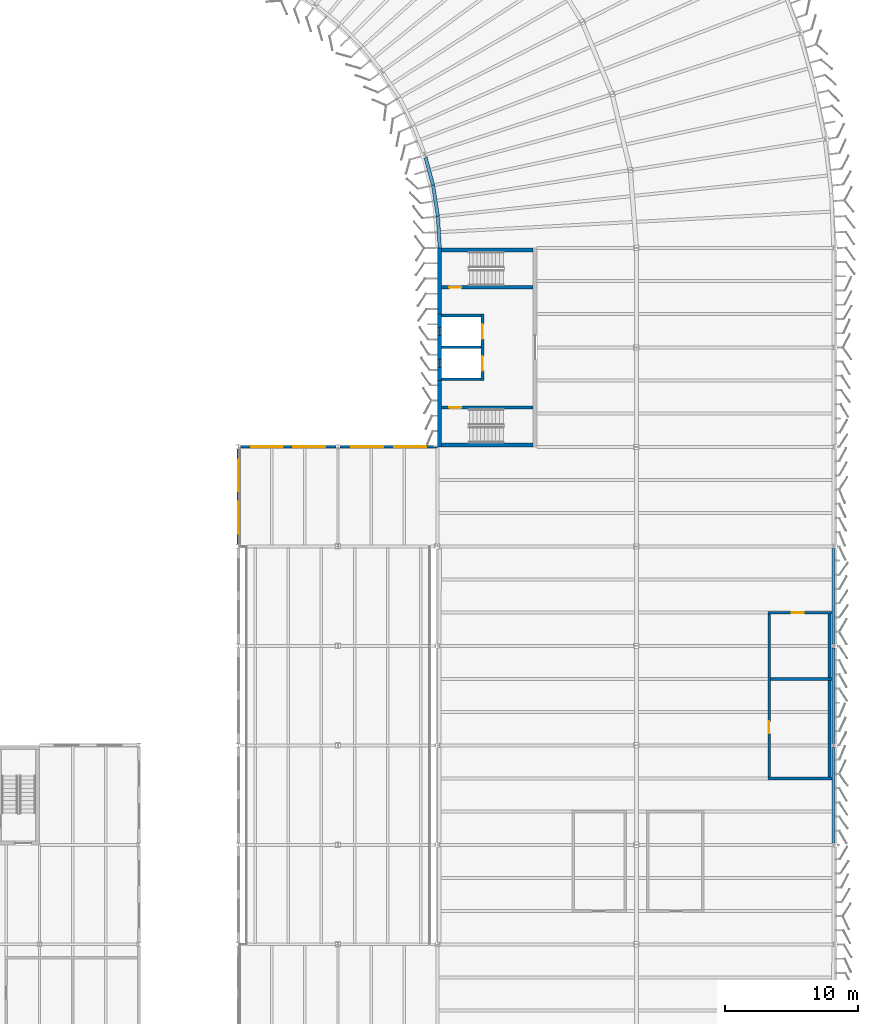
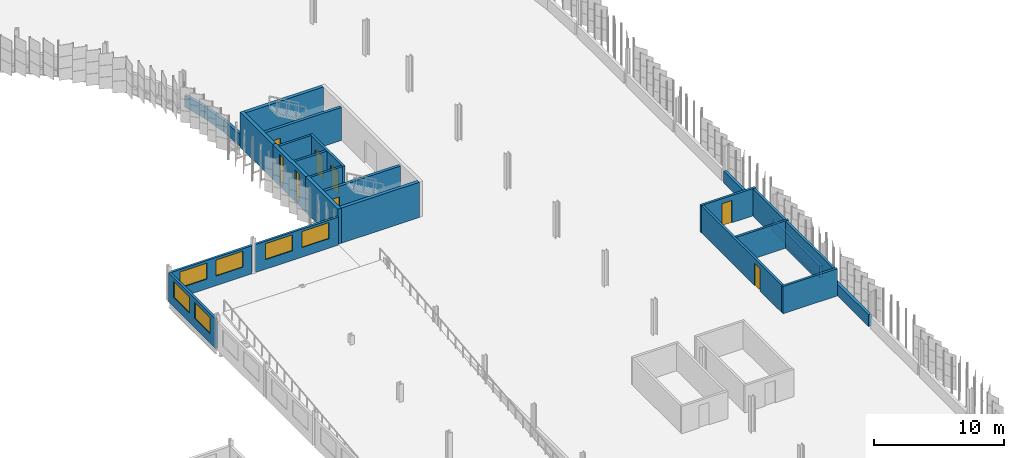
# One storey, part 76 of 214: 25 walls, 8 windows, 6 doors, 14 openings.
"""IFC4 building model written with IfcOpenShell, lengths in metres."""

from ifc_helpers import new_model, si_unit, direction, frame, frame_2d, origin, place, context, subcontext, project, spatial, rectangle, extrude, material, layer, layer_set, type_object, element, fill, save


model = new_model("IFC4")

# Units and contexts
model_context = context("Model", 3, precision=1e-05, world=origin(), true_north=direction((0.0, 1.0)))
body_context = subcontext(model_context, "Body", "Model", "MODEL_VIEW")
ifc_project = project(units=[si_unit("LENGTHUNIT", "METRE"), si_unit("AREAUNIT", "SQUARE_METRE"), si_unit("VOLUMEUNIT", "CUBIC_METRE"), si_unit("PLANEANGLEUNIT", "RADIAN"), si_unit("MASSUNIT", "GRAM", prefix="KILO")], contexts=[model_context])

# Site, building, storey
site_placement = place(None, origin())
site = spatial("IfcSite", under=ifc_project, at=site_placement, CompositionType="ELEMENT")
building_placement = place(site_placement, origin())
building = spatial("IfcBuilding", under=site, at=building_placement, Name="Parallax Yard Mobility Hub", CompositionType="ELEMENT")
storey_placement = place(building_placement, frame((0.0, 0.0, 3.300048828125)))
storey = spatial("IfcBuildingStorey", under=building, at=storey_placement, Name="L01", CompositionType="ELEMENT", Elevation=3.300048828125)

# Wall
ifc_material_1 = material(Name="Concrete fc' 35 MPa", Category="concrete")
ifc_layer_1 = layer(ifc_material_1, 0.300048828125)
ifc_layer_set_1 = layer_set([ifc_layer_1], Name="Concrete fc' 35 MPa core wall 300")
wall_type_1 = type_object("IfcWallType", Name="Concrete fc' 35 MPa core wall 300", PredefinedType="SHEAR", material=ifc_layer_set_1)
wall_1_placement = place(storey_placement, frame((195.14990234375, 75.0, 0.0), z_axis=(0.0, 0.0, 1.0), x_axis=(0.0, 1.0, 0.0)))
element("IfcWall", 1, at=wall_1_placement, inside=storey, type_object=wall_type_1, Name="Core C-E back wall part 1 level L01", PredefinedType="SHEAR", context=body_context, shape_type="SweptSolid", body=[
    extrude(rectangle(XDim=5.0, YDim=0.300048828125, at=frame_2d((2.5, 0.0))), origin(), (0.0, 0.0, 1.0), 3.300048828125),
])

# Wall, openings, windows
wall_2_placement = place(storey_placement, frame((195.14990234375, 80.0, 0.0), z_axis=(0.0, 0.0, 1.0), x_axis=(0.0, 1.0, 0.0)))
wall_2 = element("IfcWall", 2, at=wall_2_placement, inside=storey, type_object=wall_type_1, Name="Core C-E back wall part 2 level L01", PredefinedType="SHEAR", context=body_context, shape_type="SweptSolid", body=[
    extrude(rectangle(XDim=5.0, YDim=0.300048828125, at=frame_2d((2.5, 0.0))), origin(), (0.0, 0.0, 1.0), 3.300048828125),
])
opening_1_placement = place(wall_2_placement, frame((1.0, 0.0, 0.300048828125)))
opening_1 = element("IfcOpeningElement", 3, at=opening_1_placement, cuts=wall_2, Name="Opening CW-S1", PredefinedType="OPENING", context=body_context, shape_type="SweptSolid", body=[
    extrude(rectangle(XDim=0.60009765625, YDim=2.699951171875, at=frame_2d((0.300048828125, 1.35009765625))), frame((0.0, 0.16015625, 0.0), z_axis=(0.0, -1.0, 0.0), x_axis=(1.0, 0.0, 0.0)), (0.0, 0.0, 1.0), 0.320068359375),
])
opening_2_placement = place(wall_2_placement, frame((3.39990234375, 0.0, 0.300048828125)))
opening_2 = element("IfcOpeningElement", 4, at=opening_2_placement, cuts=wall_2, Name="Opening CW-S1", PredefinedType="OPENING", context=body_context, shape_type="SweptSolid", body=[
    extrude(rectangle(XDim=0.60009765625, YDim=2.699951171875, at=frame_2d((0.300048828125, 1.35009765625))), frame((0.0, 0.16015625, 0.0), z_axis=(0.0, -1.0, 0.0), x_axis=(1.0, 0.0, 0.0)), (0.0, 0.0, 1.0), 0.320068359375),
])
ifc_material_2 = material(Name="Fire-resisting glazing in a steel frame", Category="steel")
window_type_1 = type_object("IfcWindowType", Name="Core slot window 600 x 2700", PartitioningType="SINGLE_PANEL", PredefinedType="WINDOW", material=ifc_material_2)
window_1_placement = place(opening_1_placement, origin())
window_1 = element("IfcWindow", 5, at=window_1_placement, inside=storey, type_object=window_type_1, Name="Glazed slot 1, core C-E level L01", OverallHeight=2.699951171875, OverallWidth=0.60009765625, PartitioningType="SINGLE_PANEL", PredefinedType="WINDOW", context=body_context, shape_type="SweptSolid", body=[
    extrude(rectangle(XDim=0.60009765625, YDim=2.699951171875, at=frame_2d((0.300048828125, 1.35009765625))), frame((0.0, 0.030029296875, 0.0), z_axis=(0.0, -1.0, 0.0), x_axis=(1.0, 0.0, 0.0)), (0.0, 0.0, 1.0), 0.06005859375),
])
fill(opening_1, window_1)
window_2_placement = place(opening_2_placement, origin())
window_2 = element("IfcWindow", 6, at=window_2_placement, inside=storey, type_object=window_type_1, Name="Glazed slot 2, core C-E level L01", OverallHeight=2.699951171875, OverallWidth=0.60009765625, PartitioningType="SINGLE_PANEL", PredefinedType="WINDOW", context=body_context, shape_type="SweptSolid", body=[
    extrude(rectangle(XDim=0.60009765625, YDim=2.699951171875, at=frame_2d((0.300048828125, 1.35009765625))), frame((0.0, 0.030029296875, 0.0), z_axis=(0.0, -1.0, 0.0), x_axis=(1.0, 0.0, 0.0)), (0.0, 0.0, 1.0), 0.06005859375),
])
fill(opening_2, window_2)

# Walls
wall_3_placement = place(storey_placement, frame((195.14990234375, 85.0, 0.0), z_axis=(0.0, 0.0, 1.0), x_axis=(0.0, 1.0, 0.0)))
element("IfcWall", 7, at=wall_3_placement, inside=storey, type_object=wall_type_1, Name="Core C-E back wall part 3 level L01", PredefinedType="SHEAR", context=body_context, shape_type="SweptSolid", body=[
    extrude(rectangle(XDim=5.0, YDim=0.300048828125, at=frame_2d((2.5, 0.0))), origin(), (0.0, 0.0, 1.0), 3.300048828125),
])
for number, where, z_axis, x_axis, name in (
    (8, (202.199951171875, 75.14990234375, 0.0), (0.0, 0.0, 1.0), (-1.0, 0.0, 0.0), "Core C-E west-side end wall level L01"),
    (9, (202.199951171875, 89.85009765625, 0.0), (0.0, 0.0, 1.0), (-1.0, 0.0, 0.0), "Core C-E east-side end wall level L01"),
):
    element("IfcWall", number, at=place(storey_placement, frame(where, z_axis=z_axis, x_axis=x_axis)), inside=storey, type_object=wall_type_1, Name=name, PredefinedType="SHEAR", context=body_context, shape_type="SweptSolid", body=[
        extrude(rectangle(XDim=6.89990234375, YDim=0.300048828125, at=frame_2d((3.449951171875, 0.0))), origin(), (0.0, 0.0, 1.0), 3.300048828125),
    ])

# Wall, openings, doors
ifc_layer_2 = layer(ifc_material_1, 0.199951171875)
ifc_layer_set_2 = layer_set([ifc_layer_2], Name="Concrete fc' 35 MPa internal core wall 200")
wall_type_2 = type_object("IfcWallType", Name="Concrete fc' 35 MPa internal core wall 200", PredefinedType="STANDARD", material=ifc_layer_set_2)
wall_4_placement = place(storey_placement, frame((198.39990234375, 80.0, 0.0), z_axis=(0.0, 0.0, 1.0), x_axis=(0.0, 1.0, 0.0)))
wall_4 = element("IfcWall", 10, at=wall_4_placement, inside=storey, type_object=wall_type_2, Name="Core C-E lift front 2 part 2 level L01", PredefinedType="STANDARD", context=body_context, shape_type="SweptSolid", body=[
    extrude(rectangle(XDim=5.0, YDim=0.199951171875, at=frame_2d((2.5, 0.0))), origin(), (0.0, 0.0, 1.0), 3.099853515625),
])
opening_3_placement = place(wall_4_placement, frame((0.75, 0.0, 0.0)))
opening_3 = element("IfcOpeningElement", 11, at=opening_3_placement, cuts=wall_4, Name="Opening L01-D722", PredefinedType="OPENING", context=body_context, shape_type="SweptSolid", body=[
    extrude(rectangle(XDim=1.10009765625, YDim=2.10009765625, at=frame_2d((0.550048828125, 1.050048828125))), frame((0.0, 0.10986328125, 0.0), z_axis=(0.0, -1.0, 0.0), x_axis=(1.0, 0.0, 0.0)), (0.0, 0.0, 1.0), 0.219970703125),
])
opening_4_placement = place(wall_4_placement, frame((3.14990234375, 0.0, 0.0)))
opening_4 = element("IfcOpeningElement", 12, at=opening_4_placement, cuts=wall_4, Name="Opening L01-D723", PredefinedType="OPENING", context=body_context, shape_type="SweptSolid", body=[
    extrude(rectangle(XDim=1.10009765625, YDim=2.10009765625, at=frame_2d((0.550048828125, 1.050048828125))), frame((0.0, 0.10986328125, 0.0), z_axis=(0.0, -1.0, 0.0), x_axis=(1.0, 0.0, 0.0)), (0.0, 0.0, 1.0), 0.219970703125),
])
ifc_material_3 = material(Name="Stainless steel sliding door and frame", Category="steel")
door_type_1 = type_object("IfcDoorType", Name="Lift landing door 1100 x 2100 FD90", OperationType="DOUBLE_DOOR_SLIDING", PredefinedType="DOOR", material=ifc_material_3)
door_1_placement = place(opening_3_placement, origin())
door_1 = element("IfcDoor", 13, at=door_1_placement, inside=storey, type_object=door_type_1, Name="Lift landing door L01-D722, core C-E level L01", OperationType="DOUBLE_DOOR_SLIDING", OverallHeight=2.10009765625, OverallWidth=1.10009765625, PredefinedType="DOOR", context=body_context, shape_type="SweptSolid", body=[
    extrude(rectangle(XDim=1.10009765625, YDim=2.10009765625, at=frame_2d((0.550048828125, 1.050048828125))), frame((0.0, 0.02490234375, 0.0), z_axis=(0.0, -1.0, 0.0), x_axis=(1.0, 0.0, 0.0)), (0.0, 0.0, 1.0), 0.050048828125),
])
fill(opening_3, door_1)
door_2_placement = place(opening_4_placement, origin())
door_2 = element("IfcDoor", 14, at=door_2_placement, inside=storey, type_object=door_type_1, Name="Lift landing door L01-D723, core C-E level L01", OperationType="DOUBLE_DOOR_SLIDING", OverallHeight=2.10009765625, OverallWidth=1.10009765625, PredefinedType="DOOR", context=body_context, shape_type="SweptSolid", body=[
    extrude(rectangle(XDim=1.10009765625, YDim=2.10009765625, at=frame_2d((0.550048828125, 1.050048828125))), frame((0.0, 0.02490234375, 0.0), z_axis=(0.0, -1.0, 0.0), x_axis=(1.0, 0.0, 0.0)), (0.0, 0.0, 1.0), 0.050048828125),
])
fill(opening_4, door_2)

# Walls
for number, where, z_axis, x_axis, name in (
    (15, (198.300048828125, 80.10009765625, 0.0), (0.0, 0.0, 1.0), (-1.0, 0.0, 0.0), "Core C-E lift wall 1 part 1 level L01"),
    (16, (198.300048828125, 82.5, 0.0), (0.0, 0.0, 1.0), (-1.0, 0.0, 0.0), "Core C-E lift wall 2 part 2 level L01"),
    (17, (198.300048828125, 84.89990234375, 0.0), (0.0, 0.0, 1.0), (-1.0, 0.0, 0.0), "Core C-E lift wall 3 part 3 level L01"),
):
    element("IfcWall", number, at=place(storey_placement, frame(where, z_axis=z_axis, x_axis=x_axis)), inside=storey, type_object=wall_type_2, Name=name, PredefinedType="STANDARD", context=body_context, shape_type="SweptSolid", body=[
        extrude(rectangle(XDim=3.0, YDim=0.199951171875, at=frame_2d((1.5, 0.0))), origin(), (0.0, 0.0, 1.0), 3.099853515625),
    ])

# Wall, opening, door
ifc_layer_3 = layer(ifc_material_1, 0.25)
ifc_layer_set_3 = layer_set([ifc_layer_3], Name="Concrete fc' 35 MPa stair enclosure wall 250")
wall_type_3 = type_object("IfcWallType", Name="Concrete fc' 35 MPa stair enclosure wall 250", PredefinedType="STANDARD", material=ifc_layer_set_3)
wall_5_placement = place(storey_placement, frame((202.199951171875, 77.97509765625, 0.0), z_axis=(0.0, 0.0, 1.0), x_axis=(-1.0, 0.0, 0.0)))
wall_5 = element("IfcWall", 18, at=wall_5_placement, inside=storey, type_object=wall_type_3, Name="Core C-E stair 1 partition level L01", PredefinedType="STANDARD", context=body_context, shape_type="SweptSolid", body=[
    extrude(rectangle(XDim=6.89990234375, YDim=0.25, at=frame_2d((3.449951171875, 0.0))), origin(), (0.0, 0.0, 1.0), 3.099853515625),
])
opening_5_placement = place(wall_5_placement, frame((5.39990234375, 0.0, 0.0)))
opening_5 = element("IfcOpeningElement", 19, at=opening_5_placement, cuts=wall_5, Name="Opening L01-D720", PredefinedType="OPENING", context=body_context, shape_type="SweptSolid", body=[
    extrude(rectangle(XDim=0.89990234375, YDim=2.10009765625, at=frame_2d((0.449951171875, 1.050048828125))), frame((0.0, 0.135009765625, 0.0), z_axis=(0.0, -1.0, 0.0), x_axis=(1.0, 0.0, 0.0)), (0.0, 0.0, 1.0), 0.27001953125),
])
ifc_material_4 = material(Name="Hollow metal steel door and frame", Category="steel")
door_type_2 = type_object("IfcDoorType", Name="Core door 900 x 2100 FD90", OperationType="NOTDEFINED", PredefinedType="DOOR", material=ifc_material_4)
door_3_placement = place(opening_5_placement, origin())
door_3 = element("IfcDoor", 20, at=door_3_placement, inside=storey, type_object=door_type_2, Name="Stair lobby door L01-D720, core C-E level L01", OperationType="SINGLE_SWING_LEFT", OverallHeight=2.10009765625, OverallWidth=0.89990234375, PredefinedType="DOOR", context=body_context, shape_type="SweptSolid", body=[
    extrude(rectangle(XDim=0.89990234375, YDim=2.10009765625, at=frame_2d((0.449951171875, 1.050048828125))), frame((0.0, 0.02490234375, 0.0), z_axis=(0.0, -1.0, 0.0), x_axis=(1.0, 0.0, 0.0)), (0.0, 0.0, 1.0), 0.050048828125),
])
fill(opening_5, door_3)

wall_6_placement = place(storey_placement, frame((195.300048828125, 87.02490234375, 0.0), z_axis=(0.0, 0.0, 1.0), x_axis=(1.0, 0.0, 0.0)))
wall_6 = element("IfcWall", 21, at=wall_6_placement, inside=storey, type_object=wall_type_3, Name="Core C-E stair 2 partition level L01", PredefinedType="STANDARD", context=body_context, shape_type="SweptSolid", body=[
    extrude(rectangle(XDim=6.89990234375, YDim=0.25, at=frame_2d((3.449951171875, 0.0))), origin(), (0.0, 0.0, 1.0), 3.099853515625),
])
opening_6_placement = place(wall_6_placement, frame((0.60009765625, 0.0, 0.0)))
opening_6 = element("IfcOpeningElement", 22, at=opening_6_placement, cuts=wall_6, Name="Opening L01-D721", PredefinedType="OPENING", context=body_context, shape_type="SweptSolid", body=[
    extrude(rectangle(XDim=0.89990234375, YDim=2.10009765625, at=frame_2d((0.449951171875, 1.050048828125))), frame((0.0, 0.135009765625, 0.0), z_axis=(0.0, -1.0, 0.0), x_axis=(1.0, 0.0, 0.0)), (0.0, 0.0, 1.0), 0.27001953125),
])
door_4_placement = place(opening_6_placement, origin())
door_4 = element("IfcDoor", 23, at=door_4_placement, inside=storey, type_object=door_type_2, Name="Stair lobby door L01-D721, core C-E level L01", OperationType="SINGLE_SWING_RIGHT", OverallHeight=2.10009765625, OverallWidth=0.89990234375, PredefinedType="DOOR", context=body_context, shape_type="SweptSolid", body=[
    extrude(rectangle(XDim=0.89990234375, YDim=2.10009765625, at=frame_2d((0.449951171875, 1.050048828125))), frame((0.0, 0.02490234375, 0.0), z_axis=(0.0, -1.0, 0.0), x_axis=(1.0, 0.0, 0.0)), (0.0, 0.0, 1.0), 0.050048828125),
])
fill(opening_6, door_4)

# Walls
ifc_layer_4 = layer(ifc_material_1, 0.25)
ifc_layer_set_4 = layer_set([ifc_layer_4], Name="Deck-edge barrier wall, Concrete fc' 35 MPa precast, 250")
wall_type_4 = type_object("IfcWallType", Name="Deck-edge barrier wall, Concrete fc' 35 MPa precast, 250", PredefinedType="SOLIDWALL", material=ifc_layer_set_4)
wall_7_placement = place(storey_placement, frame((194.109619140625, 96.8095703125, 0.0), z_axis=(0.0, 0.0, 1.0), x_axis=(0.258841964404, -0.965919684789, 0.0)))
element("IfcWall", 24, at=wall_7_placement, inside=storey, type_object=wall_type_4, Name="Deck-edge barrier wall bay 22-1 level L01", PredefinedType="SOLIDWALL", context=body_context, shape_type="SweptSolid", body=[
    extrude(rectangle(XDim=2.1513671875, YDim=0.25, at=frame_2d((1.07568359375, 0.0))), origin(), (0.0, 0.0, 1.0), 1.099853515625),
])
wall_8_placement = place(storey_placement, frame((194.673828125, 94.6962890625, 0.0), z_axis=(0.0, 0.0, 1.0), x_axis=(0.15491575781, -0.987927683579, 0.0)))
element("IfcWall", 25, at=wall_8_placement, inside=storey, type_object=wall_type_4, Name="Deck-edge barrier wall bay 22-2 level L01", PredefinedType="SOLIDWALL", context=body_context, shape_type="SweptSolid", body=[
    extrude(rectangle(XDim=2.33544921875, YDim=0.25, at=frame_2d((1.167724609375, 0.0))), origin(), (0.0, 0.0, 1.0), 1.099853515625),
])
wall_9_placement = place(storey_placement, frame((195.039306640625, 92.355712890625, 0.0), z_axis=(0.0, 0.0, 1.0), x_axis=(0.057263271658, -0.998359112604, 0.0)))
element("IfcWall", 26, at=wall_9_placement, inside=storey, type_object=wall_type_4, Name="Deck-edge barrier wall bay 22-3 level L01", PredefinedType="SOLIDWALL", context=body_context, shape_type="SweptSolid", body=[
    extrude(rectangle(XDim=2.344970703125, YDim=0.25, at=frame_2d((1.17236328125, 0.0))), origin(), (0.0, 0.0, 1.0), 1.099853515625),
])
for number, where, z_axis, x_axis, name in (
    (27, (224.8525390625, 45.151611328125, 0.0), (0.0, 0.0, 1.0), (0.0, 1.0, 0.0), "Deck-edge barrier wall bay 35 level L01"),
    (28, (224.8525390625, 52.651611328125, 0.0), (0.0, 0.0, 1.0), (0.0, 1.0, 0.0), "Deck-edge barrier wall bay 36 level L01"),
    (29, (224.8525390625, 60.151611328125, 0.0), (0.0, 0.0, 1.0), (0.0, 1.0, 0.0), "Deck-edge barrier wall bay 37 level L01"),
):
    element("IfcWall", number, at=place(storey_placement, frame(where, z_axis=z_axis, x_axis=x_axis)), inside=storey, type_object=wall_type_4, Name=name, PredefinedType="SOLIDWALL", context=body_context, shape_type="SweptSolid", body=[
        extrude(rectangle(XDim=7.19677734375, YDim=0.25, at=frame_2d((3.598388671875, 0.0))), origin(), (0.0, 0.0, 1.0), 1.099853515625),
    ])
ifc_material_5 = material(Name="Fire-rated plasterboard partition, two layers each side")
ifc_layer_5 = layer(ifc_material_5, 0.199951171875)
ifc_layer_set_5 = layer_set([ifc_layer_5], Name="Fire-rated partition 200 mm")
wall_type_5 = type_object("IfcWallType", Name="Fire-rated partition 200 mm", PredefinedType="PARTITIONING", material=ifc_layer_set_5)
wall_10_placement = place(storey_placement, frame((219.89990234375, 50.0, 0.0), z_axis=(0.0, 0.0, 1.0), x_axis=(1.0, 0.0, 0.0)))
element("IfcWall", 30, at=wall_10_placement, inside=storey, type_object=wall_type_5, Name="Partition 32 level L01", PredefinedType="PARTITIONING", context=body_context, shape_type="SweptSolid", body=[
    extrude(rectangle(XDim=4.82763671875, YDim=0.199951171875, at=frame_2d((2.413818359375, 0.0))), origin(), (0.0, 0.0, 1.0), 2.557861328125),
])
wall_11_placement = place(storey_placement, frame((220.10009765625, 57.5, 0.0), z_axis=(0.0, 0.0, 1.0), x_axis=(1.0, 0.0, 0.0)))
element("IfcWall", 31, at=wall_11_placement, inside=storey, type_object=wall_type_5, Name="Partition 33 level L01", PredefinedType="PARTITIONING", context=body_context, shape_type="SweptSolid", body=[
    extrude(rectangle(XDim=4.62744140625, YDim=0.199951171875, at=frame_2d((2.313720703125, 0.0))), origin(), (0.0, 0.0, 1.0), 2.557861328125),
])

# Wall, opening, door
wall_12_placement = place(storey_placement, frame((219.89990234375, 62.5, 0.0), z_axis=(0.0, 0.0, 1.0), x_axis=(1.0, 0.0, 0.0)))
wall_12 = element("IfcWall", 32, at=wall_12_placement, inside=storey, type_object=wall_type_5, Name="Partition 34 level L01", PredefinedType="PARTITIONING", context=body_context, shape_type="SweptSolid", body=[
    extrude(rectangle(XDim=4.82763671875, YDim=0.199951171875, at=frame_2d((2.413818359375, 0.0))), origin(), (0.0, 0.0, 1.0), 2.557861328125),
])
opening_7_placement = place(wall_12_placement, frame((1.800048828125, 0.0, 0.0)))
opening_7 = element("IfcOpeningElement", 33, at=opening_7_placement, cuts=wall_12, Name="Opening L01-D223", PredefinedType="OPENING", context=body_context, shape_type="SweptSolid", body=[
    extrude(rectangle(XDim=0.89990234375, YDim=2.10009765625, at=frame_2d((0.449951171875, 1.050048828125))), frame((0.0, 0.10986328125, 0.0), z_axis=(0.0, -1.0, 0.0), x_axis=(1.0, 0.0, 0.0)), (0.0, 0.0, 1.0), 0.219970703125),
])
ifc_material_6 = material(Name="Hollow metal fire door leaf with intumescent seals")
door_type_3 = type_object("IfcDoorType", Name="Fire door 900 mm FD60", OperationType="NOTDEFINED", PredefinedType="DOOR", material=ifc_material_6)
door_5_placement = place(opening_7_placement, origin())
door_5 = element("IfcDoor", 34, at=door_5_placement, inside=storey, type_object=door_type_3, Name="Door L01-D223 Attendant Office", OperationType="SINGLE_SWING_LEFT", OverallHeight=2.10009765625, OverallWidth=0.89990234375, PredefinedType="DOOR", context=body_context, shape_type="SweptSolid", body=[
    extrude(rectangle(XDim=0.89990234375, YDim=2.10009765625, at=frame_2d((0.449951171875, 1.050048828125))), frame((0.0, 0.02490234375, 0.0), z_axis=(0.0, -1.0, 0.0), x_axis=(1.0, 0.0, 0.0)), (0.0, 0.0, 1.0), 0.050048828125),
])
fill(opening_7, door_5)

wall_13_placement = place(storey_placement, frame((220.0, 50.10009765625, 0.0), z_axis=(0.0, 0.0, 1.0), x_axis=(0.0, 1.0, 0.0)))
wall_13 = element("IfcWall", 35, at=wall_13_placement, inside=storey, type_object=wall_type_5, Name="Partition 77 level L01", PredefinedType="PARTITIONING", context=body_context, shape_type="SweptSolid", body=[
    extrude(rectangle(XDim=12.2998046875, YDim=0.199951171875, at=frame_2d((6.14990234375, 0.0))), origin(), (0.0, 0.0, 1.0), 2.5478515625),
])
opening_8_placement = place(wall_13_placement, frame((3.300048828125, 0.0, 0.0)))
opening_8 = element("IfcOpeningElement", 36, at=opening_8_placement, cuts=wall_13, Name="Opening L01-D222", PredefinedType="OPENING", context=body_context, shape_type="SweptSolid", body=[
    extrude(rectangle(XDim=0.89990234375, YDim=2.10009765625, at=frame_2d((0.449951171875, 1.050048828125))), frame((0.0, 0.10986328125, 0.0), z_axis=(0.0, -1.0, 0.0), x_axis=(1.0, 0.0, 0.0)), (0.0, 0.0, 1.0), 0.219970703125),
])
door_6_placement = place(opening_8_placement, origin())
door_6 = element("IfcDoor", 37, at=door_6_placement, inside=storey, type_object=door_type_3, Name="Door L01-D222 Electrical Room", OperationType="SINGLE_SWING_LEFT", OverallHeight=2.10009765625, OverallWidth=0.89990234375, PredefinedType="DOOR", context=body_context, shape_type="SweptSolid", body=[
    extrude(rectangle(XDim=0.89990234375, YDim=2.10009765625, at=frame_2d((0.449951171875, 1.050048828125))), frame((0.0, 0.02490234375, 0.0), z_axis=(0.0, -1.0, 0.0), x_axis=(1.0, 0.0, 0.0)), (0.0, 0.0, 1.0), 0.050048828125),
])
fill(opening_8, door_6)

# Wall
wall_14_placement = place(storey_placement, frame((224.550048828125, 50.10009765625, 0.0), z_axis=(0.0, 0.0, 1.0), x_axis=(0.0, 1.0, 0.0)))
element("IfcWall", 38, at=wall_14_placement, inside=storey, type_object=wall_type_5, Name="Partition 78 level L01", PredefinedType="PARTITIONING", context=body_context, shape_type="SweptSolid", body=[
    extrude(rectangle(XDim=12.2998046875, YDim=0.199951171875, at=frame_2d((6.14990234375, 0.0))), origin(), (0.0, 0.0, 1.0), 2.5478515625),
])

# Wall, openings, windows
ifc_layer_6 = layer(ifc_material_1, 0.199951171875)
ifc_layer_set_6 = layer_set([ifc_layer_6], Name="Louvre screen wall, Concrete fc' 35 MPa precast, 200")
wall_type_6 = type_object("IfcWallType", Name="Louvre screen wall, Concrete fc' 35 MPa precast, 200", PredefinedType="SOLIDWALL", material=ifc_layer_set_6)
wall_15_placement = place(storey_placement, frame((180.0, 67.653564453125, 0.0), z_axis=(0.0, 0.0, 1.0), x_axis=(0.0, 1.0, 0.0)))
wall_15 = element("IfcWall", 39, at=wall_15_placement, inside=storey, type_object=wall_type_6, Name="Ramp house west wall bay 7 level L01", PredefinedType="SOLIDWALL", context=body_context, shape_type="SweptSolid", body=[
    extrude(rectangle(XDim=7.19287109375, YDim=0.199951171875, at=frame_2d((3.596435546875, 0.0))), origin(), (0.0, 0.0, 1.0), 2.75390625),
])
opening_9_placement = place(wall_15_placement, frame((0.797607421875, 0.0, 0.89990234375)))
opening_9 = element("IfcOpeningElement", 40, at=opening_9_placement, cuts=wall_15, Name="Opening W1", PredefinedType="OPENING", context=body_context, shape_type="SweptSolid", body=[
    extrude(rectangle(XDim=2.39990234375, YDim=1.5, at=frame_2d((1.199951171875, 0.75))), frame((0.0, 0.10986328125, 0.0), z_axis=(0.0, -1.0, 0.0), x_axis=(1.0, 0.0, 0.0)), (0.0, 0.0, 1.0), 0.219970703125),
])
opening_10_placement = place(wall_15_placement, frame((3.995361328125, 0.0, 0.89990234375)))
opening_10 = element("IfcOpeningElement", 41, at=opening_10_placement, cuts=wall_15, Name="Opening W1", PredefinedType="OPENING", context=body_context, shape_type="SweptSolid", body=[
    extrude(rectangle(XDim=2.39990234375, YDim=1.5, at=frame_2d((1.199951171875, 0.75))), frame((0.0, 0.10986328125, 0.0), z_axis=(0.0, -1.0, 0.0), x_axis=(1.0, 0.0, 0.0)), (0.0, 0.0, 1.0), 0.219970703125),
])
ifc_material_7 = material(Name="Double glazed low-E unit in thermally broken aluminium frame", Category="aluminium")
window_type_2 = type_object("IfcWindowType", Name="Window 2400 x 1500", PartitioningType="DOUBLE_PANEL_VERTICAL", PredefinedType="WINDOW", material=ifc_material_7)
window_3_placement = place(opening_9_placement, origin())
window_3 = element("IfcWindow", 42, at=window_3_placement, inside=storey, type_object=window_type_2, Name="Window W1 level L01", OverallHeight=1.5, OverallWidth=2.39990234375, PartitioningType="DOUBLE_PANEL_VERTICAL", PredefinedType="WINDOW", context=body_context, shape_type="SweptSolid", body=[
    extrude(rectangle(XDim=2.39990234375, YDim=1.5, at=frame_2d((1.199951171875, 0.75))), frame((0.0, 0.030029296875, 0.0), z_axis=(0.0, -1.0, 0.0), x_axis=(1.0, 0.0, 0.0)), (0.0, 0.0, 1.0), 0.06005859375),
])
fill(opening_9, window_3)
window_4_placement = place(opening_10_placement, origin())
window_4 = element("IfcWindow", 43, at=window_4_placement, inside=storey, type_object=window_type_2, Name="Window W1 level L01", OverallHeight=1.5, OverallWidth=2.39990234375, PartitioningType="DOUBLE_PANEL_VERTICAL", PredefinedType="WINDOW", context=body_context, shape_type="SweptSolid", body=[
    extrude(rectangle(XDim=2.39990234375, YDim=1.5, at=frame_2d((1.199951171875, 0.75))), frame((0.0, 0.030029296875, 0.0), z_axis=(0.0, -1.0, 0.0), x_axis=(1.0, 0.0, 0.0)), (0.0, 0.0, 1.0), 0.06005859375),
])
fill(opening_10, window_4)

wall_16_placement = place(storey_placement, frame((180.153564453125, 75.0, 0.0), z_axis=(0.0, 0.0, 1.0), x_axis=(1.0, 0.0, 0.0)))
wall_16 = element("IfcWall", 44, at=wall_16_placement, inside=storey, type_object=wall_type_6, Name="Ramp house north wall bay 1 level L01", PredefinedType="SOLIDWALL", context=body_context, shape_type="SweptSolid", body=[
    extrude(rectangle(XDim=7.19287109375, YDim=0.199951171875, at=frame_2d((3.596435546875, 0.0))), origin(), (0.0, 0.0, 1.0), 2.626953125),
])
opening_11_placement = place(wall_16_placement, frame((0.797607421875, 0.0, 0.89990234375)))
opening_11 = element("IfcOpeningElement", 45, at=opening_11_placement, cuts=wall_16, Name="Opening W1", PredefinedType="OPENING", context=body_context, shape_type="SweptSolid", body=[
    extrude(rectangle(XDim=2.39990234375, YDim=1.5, at=frame_2d((1.199951171875, 0.75))), frame((0.0, 0.10986328125, 0.0), z_axis=(0.0, -1.0, 0.0), x_axis=(1.0, 0.0, 0.0)), (0.0, 0.0, 1.0), 0.219970703125),
])
opening_12_placement = place(wall_16_placement, frame((3.995361328125, 0.0, 0.89990234375)))
opening_12 = element("IfcOpeningElement", 46, at=opening_12_placement, cuts=wall_16, Name="Opening W1", PredefinedType="OPENING", context=body_context, shape_type="SweptSolid", body=[
    extrude(rectangle(XDim=2.39990234375, YDim=1.5, at=frame_2d((1.199951171875, 0.75))), frame((0.0, 0.10986328125, 0.0), z_axis=(0.0, -1.0, 0.0), x_axis=(1.0, 0.0, 0.0)), (0.0, 0.0, 1.0), 0.219970703125),
])
window_5_placement = place(opening_11_placement, origin())
window_5 = element("IfcWindow", 47, at=window_5_placement, inside=storey, type_object=window_type_2, Name="Window W1 level L01", OverallHeight=1.5, OverallWidth=2.39990234375, PartitioningType="DOUBLE_PANEL_VERTICAL", PredefinedType="WINDOW", context=body_context, shape_type="SweptSolid", body=[
    extrude(rectangle(XDim=2.39990234375, YDim=1.5, at=frame_2d((1.199951171875, 0.75))), frame((0.0, 0.030029296875, 0.0), z_axis=(0.0, -1.0, 0.0), x_axis=(1.0, 0.0, 0.0)), (0.0, 0.0, 1.0), 0.06005859375),
])
fill(opening_11, window_5)
window_6_placement = place(opening_12_placement, origin())
window_6 = element("IfcWindow", 48, at=window_6_placement, inside=storey, type_object=window_type_2, Name="Window W1 level L01", OverallHeight=1.5, OverallWidth=2.39990234375, PartitioningType="DOUBLE_PANEL_VERTICAL", PredefinedType="WINDOW", context=body_context, shape_type="SweptSolid", body=[
    extrude(rectangle(XDim=2.39990234375, YDim=1.5, at=frame_2d((1.199951171875, 0.75))), frame((0.0, 0.030029296875, 0.0), z_axis=(0.0, -1.0, 0.0), x_axis=(1.0, 0.0, 0.0)), (0.0, 0.0, 1.0), 0.06005859375),
])
fill(opening_12, window_6)

wall_17_placement = place(storey_placement, frame((187.653564453125, 75.0, 0.0), z_axis=(0.0, 0.0, 1.0), x_axis=(1.0, 0.0, 0.0)))
wall_17 = element("IfcWall", 49, at=wall_17_placement, inside=storey, type_object=wall_type_6, Name="Ramp house north wall bay 2 level L01", PredefinedType="SOLIDWALL", context=body_context, shape_type="SweptSolid", body=[
    extrude(rectangle(XDim=7.346435546875, YDim=0.199951171875, at=frame_2d((3.67333984375, 0.0))), origin(), (0.0, 0.0, 1.0), 2.626953125),
])
opening_13_placement = place(wall_17_placement, frame((0.848876953125, 0.0, 0.89990234375)))
opening_13 = element("IfcOpeningElement", 50, at=opening_13_placement, cuts=wall_17, Name="Opening W1", PredefinedType="OPENING", context=body_context, shape_type="SweptSolid", body=[
    extrude(rectangle(XDim=2.39990234375, YDim=1.5, at=frame_2d((1.199951171875, 0.75))), frame((0.0, 0.10986328125, 0.0), z_axis=(0.0, -1.0, 0.0), x_axis=(1.0, 0.0, 0.0)), (0.0, 0.0, 1.0), 0.219970703125),
])
opening_14_placement = place(wall_17_placement, frame((4.09765625, 0.0, 0.89990234375)))
opening_14 = element("IfcOpeningElement", 51, at=opening_14_placement, cuts=wall_17, Name="Opening W1", PredefinedType="OPENING", context=body_context, shape_type="SweptSolid", body=[
    extrude(rectangle(XDim=2.39990234375, YDim=1.5, at=frame_2d((1.199951171875, 0.75))), frame((0.0, 0.10986328125, 0.0), z_axis=(0.0, -1.0, 0.0), x_axis=(1.0, 0.0, 0.0)), (0.0, 0.0, 1.0), 0.219970703125),
])
window_7_placement = place(opening_13_placement, origin())
window_7 = element("IfcWindow", 52, at=window_7_placement, inside=storey, type_object=window_type_2, Name="Window W1 level L01", OverallHeight=1.5, OverallWidth=2.39990234375, PartitioningType="DOUBLE_PANEL_VERTICAL", PredefinedType="WINDOW", context=body_context, shape_type="SweptSolid", body=[
    extrude(rectangle(XDim=2.39990234375, YDim=1.5, at=frame_2d((1.199951171875, 0.75))), frame((0.0, 0.030029296875, 0.0), z_axis=(0.0, -1.0, 0.0), x_axis=(1.0, 0.0, 0.0)), (0.0, 0.0, 1.0), 0.06005859375),
])
fill(opening_13, window_7)
window_8_placement = place(opening_14_placement, origin())
window_8 = element("IfcWindow", 53, at=window_8_placement, inside=storey, type_object=window_type_2, Name="Window W1 level L01", OverallHeight=1.5, OverallWidth=2.39990234375, PartitioningType="DOUBLE_PANEL_VERTICAL", PredefinedType="WINDOW", context=body_context, shape_type="SweptSolid", body=[
    extrude(rectangle(XDim=2.39990234375, YDim=1.5, at=frame_2d((1.199951171875, 0.75))), frame((0.0, 0.030029296875, 0.0), z_axis=(0.0, -1.0, 0.0), x_axis=(1.0, 0.0, 0.0)), (0.0, 0.0, 1.0), 0.06005859375),
])
fill(opening_14, window_8)

save(model, "model.ifc")
